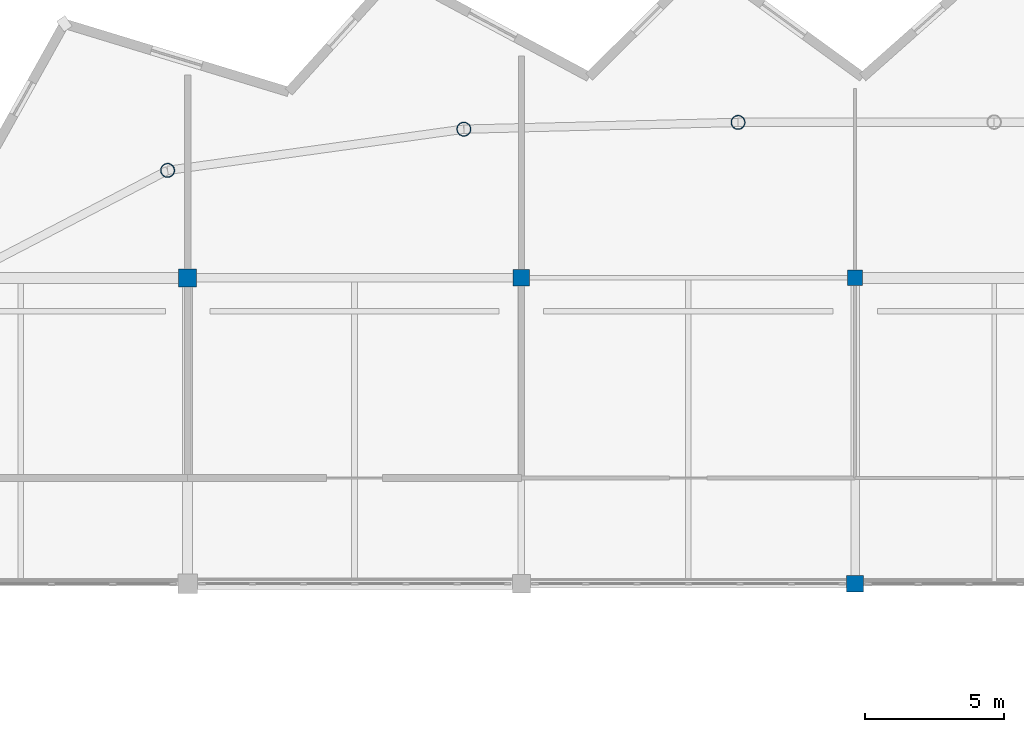
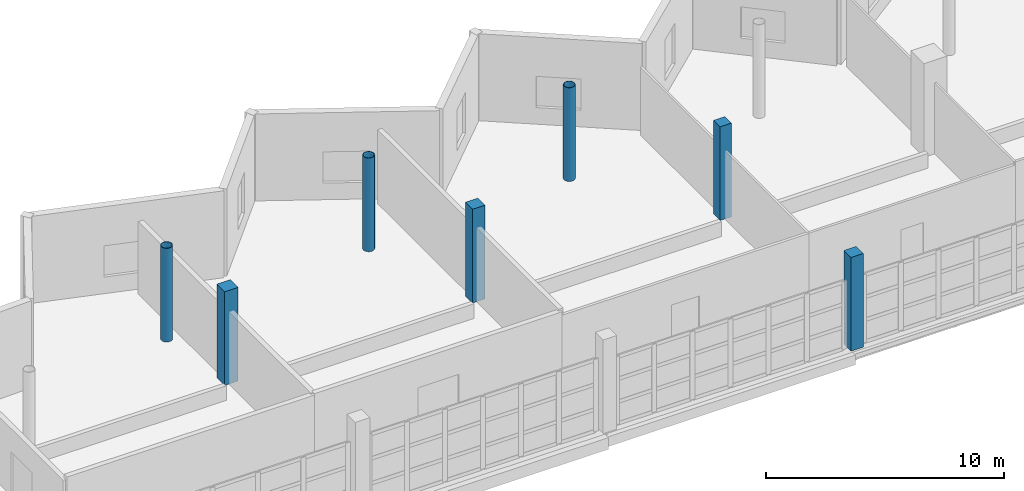
# One storey, part 7 of 53: 7 columns.
"""IFC4 building model written with IfcOpenShell, lengths in metres."""

import ifcopenshell
import ifcopenshell.guid

model = None  # the IFC model being written
_history = None  # IfcOwnerHistory: only IFC2X3 demands one
_inside = {}  # id of a spatial element -> (the spatial element, [elements in it])
_under = {}  # id of a project, library or spatial element -> (it, [spatial elements below it])
_declared = {}  # id of a project -> (the project, [libraries it declares])
_typed = {}  # id of a type object -> (the type object, [elements of that type])
_made_of = {}  # id of a material, layer set ... -> (it, [elements and type objects made of it])


def new_model(schema):
    """Start an empty IFC model of exactly this schema.

    Asked for "IFC4X3", IfcOpenShell would pick the latest addendum, in which some entities
    have other attributes; the version numbers below select the first issue.
    IFC2X3 requires an IfcOwnerHistory on every rooted entity: one is made here for all.
    """
    global model, _history
    if schema == "IFC4X3":
        model = ifcopenshell.file(schema_version=(4, 3, 0, 0))
    else:
        model = ifcopenshell.file(schema=schema)
    _inside.clear()
    _under.clear()
    _declared.clear()
    _typed.clear()
    _made_of.clear()
    _history = None
    if model.schema == "IFC2X3":
        org = make("IfcOrganization", Name="unknown")
        user = make(
            "IfcPersonAndOrganization",
            ThePerson=make("IfcPerson", FamilyName="unknown"),
            TheOrganization=org,
        )
        app = make(
            "IfcApplication",
            ApplicationDeveloper=org,
            Version="unknown",
            ApplicationFullName="unknown",
            ApplicationIdentifier="unknown",
        )
        _history = make(
            "IfcOwnerHistory",
            OwningUser=user,
            OwningApplication=app,
            ChangeAction="ADDED",
            CreationDate=0,
        )
    return model


def make(cls, **values):
    """One entity of the class cls with the attributes given. An attribute that is None is left unset."""
    return model.create_entity(
        cls, **{name: value for name, value in values.items() if value is not None}
    )


def rooted(cls, **values):
    """An entity with a GlobalId (a new one), such as an element, a storey or a relation."""
    return make(cls, GlobalId=ifcopenshell.guid.new(), OwnerHistory=_history, **values)


def si_unit(unit_type, name, prefix=None):
    """IfcSIUnit, for example si_unit("LENGTHUNIT", "METRE", prefix="MILLI")."""
    return make("IfcSIUnit", UnitType=unit_type, Prefix=prefix, Name=name)


def assignment(units):
    """IfcUnitAssignment: the units of a project."""
    return None if units is None else make("IfcUnitAssignment", Units=units)


def point(xyz):
    """IfcCartesianPoint."""
    return None if xyz is None else make("IfcCartesianPoint", Coordinates=xyz)


def direction(xyz):
    """IfcDirection."""
    return None if xyz is None else make("IfcDirection", DirectionRatios=xyz)


def frame(location, z_axis=None, x_axis=None):
    """IfcAxis2Placement3D, a coordinate frame: its origin and axes. An axis left out is left unset."""
    return make(
        "IfcAxis2Placement3D",
        Location=point(location),
        Axis=direction(z_axis),
        RefDirection=direction(x_axis),
    )


def frame_2d(location, x_axis=None):
    """IfcAxis2Placement2D, a coordinate frame in the plane: its origin and x axis."""
    return make(
        "IfcAxis2Placement2D", Location=point(location), RefDirection=direction(x_axis)
    )


def origin():
    """The frame at (0, 0, 0) with its axes left unset."""
    return frame((0.0, 0.0, 0.0))


def origin_2d():
    """The frame at (0, 0) in the plane with its x axis left unset."""
    return frame_2d((0.0, 0.0))


def place(relative_to, where):
    """IfcLocalPlacement: puts the frame where relative to a parent placement (None: the world)."""
    return make(
        "IfcLocalPlacement", PlacementRelTo=relative_to, RelativePlacement=where
    )


def context(
    kind, dimensions, precision=None, world=None, true_north=None, identifier=None
):
    """IfcGeometricRepresentationContext, for example the 3D "Model" context."""
    return make(
        "IfcGeometricRepresentationContext",
        ContextIdentifier=identifier,
        ContextType=kind,
        CoordinateSpaceDimension=dimensions,
        Precision=precision,
        WorldCoordinateSystem=world,
        TrueNorth=true_north,
    )


def subcontext(parent, identifier, kind, view, scale=None):
    """IfcGeometricRepresentationSubContext, for example "Body" below "Model"."""
    return make(
        "IfcGeometricRepresentationSubContext",
        ContextIdentifier=identifier,
        ContextType=kind,
        ParentContext=parent,
        TargetScale=scale,
        TargetView=view,
    )


def project(units=None, contexts=None):
    """IfcProject with its units and contexts."""
    return rooted(
        "IfcProject",
        Name="project",
        RepresentationContexts=contexts,
        UnitsInContext=assignment(units),
    )


def spatial(cls, under=None, at=None, **own):
    """A site, building, storey or space (cls), placed at a placement, below another one or the project."""
    s = rooted(cls, ObjectPlacement=at, **own)
    if under is not None:
        _under.setdefault(under.id(), (under, []))[1].append(s)
    return s


def profile(cls, at=None, kind="AREA", **sizes):
    """A parametric profile (cls). Its sizes go by their IFC names, for example OverallWidth=200.0."""
    return make(cls, ProfileType=kind, Position=at, **sizes)


def rectangle(**sizes):
    """IfcRectangleProfileDef."""
    return profile("IfcRectangleProfileDef", **sizes)


def hollow_circle(**sizes):
    """IfcCircleHollowProfileDef."""
    return profile("IfcCircleHollowProfileDef", **sizes)


def extrude(swept, where, along, depth):
    """IfcExtrudedAreaSolid: the profile swept, set in the frame where, extruded along a direction by depth."""
    return make(
        "IfcExtrudedAreaSolid",
        SweptArea=swept,
        Position=where,
        ExtrudedDirection=direction(along),
        Depth=depth,
    )


def shape(context_of_items, identifier, shape_type, items):
    """IfcShapeRepresentation: the items that make up one representation, for example the "Body"."""
    return make(
        "IfcShapeRepresentation",
        ContextOfItems=context_of_items,
        RepresentationIdentifier=identifier,
        RepresentationType=shape_type,
        Items=items,
    )


def material(Name=None, Category=None):
    """IfcMaterial."""
    return make("IfcMaterial", Name=Name, Category=Category)


def material_profile(
    of_material, cross_section, Name=None, Category=None, Priority=None
):
    """IfcMaterialProfile: a cross section and its material."""
    return make(
        "IfcMaterialProfile",
        Name=Name,
        Material=of_material,
        Profile=cross_section,
        Priority=Priority,
        Category=Category,
    )


def profile_set(profiles, Name=None, composite=None):
    """IfcMaterialProfileSet."""
    return make(
        "IfcMaterialProfileSet",
        Name=Name,
        MaterialProfiles=profiles,
        CompositeProfile=composite,
    )


def made_of(thing, what):
    """Note that an element or type object is made of a material, layer set ...; save() writes the relation."""
    if what is not None:
        _made_of.setdefault(what.id(), (what, []))[1].append(thing)
    return thing


def type_object(cls, material=None, **own):
    """A type object (cls), such as IfcWallType, which elements share."""
    return made_of(rooted(cls, **own), material)


def element(
    cls,
    number,
    at=None,
    inside=None,
    cuts=None,
    type_object=None,
    material=None,
    context=None,
    identifier="Body",
    shape_type=None,
    held_by="IfcProductDefinitionShape",
    body=None,
    shapes=None,
    **own,
):
    """One element of the class cls, such as IfcWall. Its Tag is "e" and its number.

    at: its placement. inside: the storey or other place that contains it. cuts: it is an
    opening in that element (IfcRelVoidsElement). A single representation is given by context,
    identifier, shape_type and body (its items); several are given by shapes. held_by: the class
    of the entity that holds the representations. save() writes the other relations.
    """
    e = rooted(cls, Tag="e%d" % number, ObjectPlacement=at, **own)
    if body is not None:
        shapes = [shape(context, identifier, shape_type, body)]
    if shapes is not None:
        e.Representation = make(held_by, Representations=shapes)
    if inside is not None:
        _inside.setdefault(inside.id(), (inside, []))[1].append(e)
    if cuts is not None:
        rooted(
            "IfcRelVoidsElement", RelatingBuildingElement=cuts, RelatedOpeningElement=e
        )
    if type_object is not None:
        _typed.setdefault(type_object.id(), (type_object, []))[1].append(e)
    return made_of(e, material)


def aggregate(whole, parts):
    """IfcRelAggregates: a whole, such as a stair, and the parts it consists of."""
    return rooted("IfcRelAggregates", RelatingObject=whole, RelatedObjects=parts)


def save(model, path):
    """Write the relations noted so far, then the file.

    IfcRelAggregates (storeys below a building ...), IfcRelContainedInSpatialStructure (elements
    in a storey), IfcRelDefinesByType, IfcRelAssociatesMaterial and IfcRelDeclares: one each for
    every whole, place, type object, material and project.
    """
    for whole, parts in _under.values():
        aggregate(whole, parts)
    for where, things in _inside.values():
        rooted(
            "IfcRelContainedInSpatialStructure",
            RelatedElements=things,
            RelatingStructure=where,
        )
    for kind, things in _typed.values():
        rooted("IfcRelDefinesByType", RelatedObjects=things, RelatingType=kind)
    for what, things in _made_of.values():
        rooted("IfcRelAssociatesMaterial", RelatedObjects=things, RelatingMaterial=what)
    for by, libraries in _declared.values():
        rooted("IfcRelDeclares", RelatingContext=by, RelatedDefinitions=libraries)
    model.write(path)


model = new_model("IFC4")

# Units and contexts
model_context = context("Model", 3, precision=1e-05, world=origin(), true_north=direction((0.0, 1.0)))
body_context = subcontext(model_context, "Body", "Model", "MODEL_VIEW")
ifc_project = project(units=[si_unit("LENGTHUNIT", "METRE"), si_unit("AREAUNIT", "SQUARE_METRE"), si_unit("VOLUMEUNIT", "CUBIC_METRE"), si_unit("PLANEANGLEUNIT", "RADIAN"), si_unit("MASSUNIT", "GRAM", prefix="KILO")], contexts=[model_context])

# Site, building, storey
site_placement = place(None, origin())
site = spatial("IfcSite", under=ifc_project, at=site_placement, CompositionType="ELEMENT")
building_placement = place(site_placement, origin())
building = spatial("IfcBuilding", under=site, at=building_placement, Name="Luwafu Chhajja Arena", CompositionType="ELEMENT")
storey_placement = place(building_placement, frame((0.0, 0.0, 19.5)))
storey = spatial("IfcBuildingStorey", under=building, at=storey_placement, Name="L04", CompositionType="ELEMENT", Elevation=19.5)

# Columns
ifc_material_1 = material(Name="Concrete C35/45", Category="concrete")
ifc_material_profile_1 = material_profile(ifc_material_1, rectangle(XDim=0.550048828125, YDim=0.550048828125, at=origin_2d()), Name="RC 550x550")
ifc_profile_set_1 = profile_set([ifc_material_profile_1], Name="Concrete C35/45")
column_type_1 = type_object("IfcColumnType", Name="Gallery Column RC 550", PredefinedType="COLUMN", material=ifc_profile_set_1)
column_1_placement = place(storey_placement, frame((94.0, 88.0, 0.0), z_axis=(0.0, 0.0, 1.0), x_axis=(1.0, 0.0, 0.0)))
element("IfcColumn", 1, at=column_1_placement, inside=storey, type_object=column_type_1, Name="L04 Grid Column 9/J", PredefinedType="COLUMN", context=body_context, shape_type="SweptSolid", body=[
    extrude(rectangle(XDim=0.550048828125, YDim=0.550048828125, at=origin_2d()), origin(), (0.0, 0.0, 1.0), 4.800048828125),
])
ifc_material_profile_2 = material_profile(ifc_material_1, rectangle(XDim=0.60009765625, YDim=0.60009765625, at=origin_2d()), Name="RC 600x600")
ifc_profile_set_2 = profile_set([ifc_material_profile_2], Name="Concrete C35/45")
column_type_2 = type_object("IfcColumnType", Name="Mezzanine Column RC 600", PredefinedType="COLUMN", material=ifc_profile_set_2)
for number, where, z_axis, x_axis, name in (
    (2, (82.0, 88.0, 0.0), (0.0, 0.0, 1.0), (1.0, 0.0, 0.0), "L04 Grid Column 8/J"),
    (3, (94.0, 77.0, 0.0), (0.0, 0.0, 1.0), (1.0, 0.0, 0.0), "L04 Grid Column 9/H"),
):
    element("IfcColumn", number, at=place(storey_placement, frame(where, z_axis=z_axis, x_axis=x_axis)), inside=storey, type_object=column_type_2, Name=name, PredefinedType="COLUMN", context=body_context, shape_type="SweptSolid", body=[
        extrude(rectangle(XDim=0.60009765625, YDim=0.60009765625, at=origin_2d()), origin(), (0.0, 0.0, 1.0), 4.800048828125),
    ])
ifc_material_2 = material(Name="Steel S355", Category="steel")
ifc_material_profile_3 = material_profile(ifc_material_2, hollow_circle(Radius=0.25390625, WallThickness=0.02001953125, at=origin_2d()), Name="CHS 508x20")
ifc_profile_set_3 = profile_set([ifc_material_profile_3], Name="Steel S355")
column_type_3 = type_object("IfcColumnType", Name="Steel Upper Drum Column CHS 508", PredefinedType="COLUMN", material=ifc_profile_set_3)
for number, where, z_axis, x_axis, name in (
    (4, (89.792724609375, 93.588134765625, 0.0), (0.0, 0.0, 1.0), (1.0, 0.0, 0.0), "L04 Bowl Drum Column D10"),
    (5, (79.932861328125, 93.3447265625, 0.0), (0.0, 0.0, 1.0), (1.0, 0.0, 0.0), "L04 Bowl Drum Column D11"),
    (6, (69.281982421875, 91.86279296875, 0.0), (0.0, 0.0, 1.0), (1.0, 0.0, 0.0), "L04 Bowl Drum Column D12"),
):
    element("IfcColumn", number, at=place(storey_placement, frame(where, z_axis=z_axis, x_axis=x_axis)), inside=storey, type_object=column_type_3, Name=name, PredefinedType="COLUMN", context=body_context, shape_type="SweptSolid", body=[
        extrude(hollow_circle(Radius=0.25390625, WallThickness=0.02001953125, at=origin_2d()), origin(), (0.0, 0.0, 1.0), 4.800048828125),
    ])
ifc_material_profile_4 = material_profile(ifc_material_1, rectangle(XDim=0.64990234375, YDim=0.64990234375, at=origin_2d()), Name="RC 650x650")
ifc_profile_set_4 = profile_set([ifc_material_profile_4], Name="Concrete C35/45")
column_type_4 = type_object("IfcColumnType", Name="Upper Wing Column RC 650", PredefinedType="COLUMN", material=ifc_profile_set_4)
column_2_placement = place(storey_placement, frame((70.0, 88.0, 0.0), z_axis=(0.0, 0.0, 1.0), x_axis=(1.0, 0.0, 0.0)))
element("IfcColumn", 7, at=column_2_placement, inside=storey, type_object=column_type_4, Name="L04 Grid Column 7/J", PredefinedType="COLUMN", context=body_context, shape_type="SweptSolid", body=[
    extrude(rectangle(XDim=0.64990234375, YDim=0.64990234375, at=origin_2d()), origin(), (0.0, 0.0, 1.0), 4.800048828125),
])

save(model, "model.ifc")
